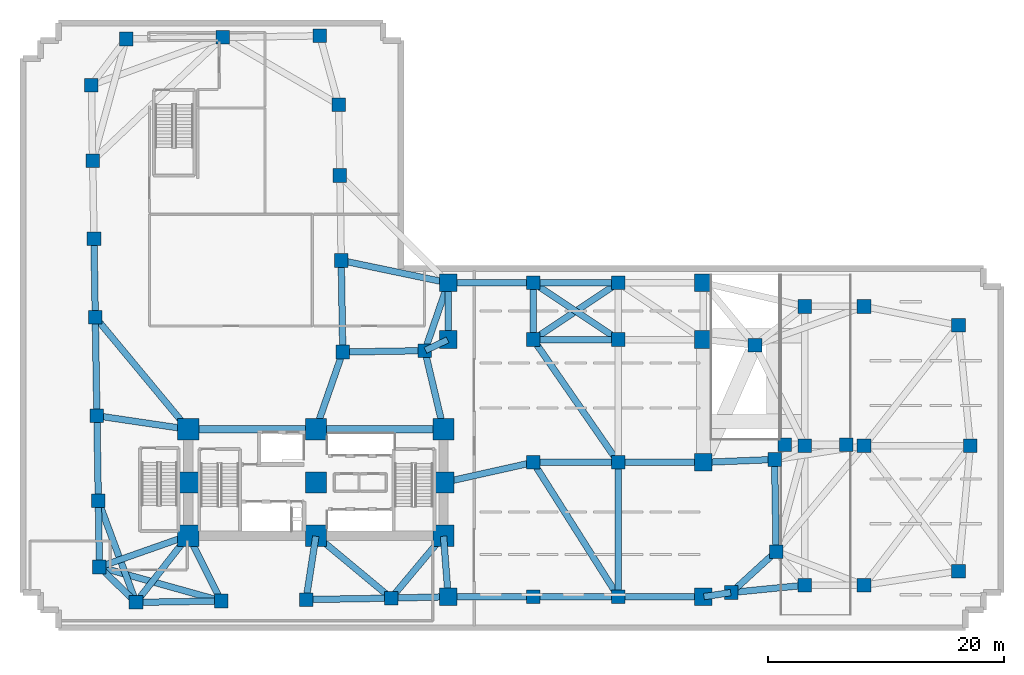
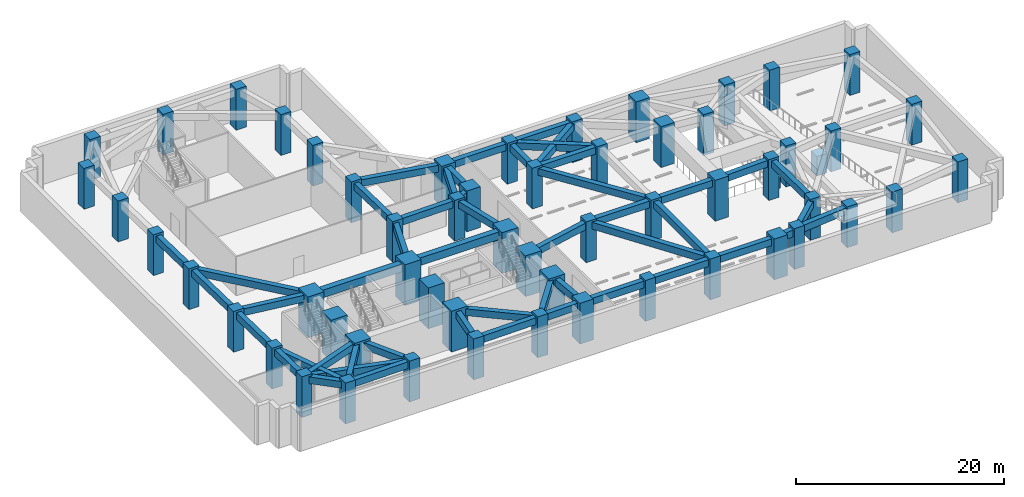
# One storey, part 1 of 11: 58 columns, 49 beams.
"""IFC4 building model written with IfcOpenShell, lengths in metres."""

from ifc_helpers import new_model, si_unit, direction, frame, origin, origin_2d, place, context, subcontext, project, spatial, rectangle, extrude, material, material_profile, profile_set, type_object, element, save


model = new_model("IFC4")

# Units and contexts
model_context = context("Model", 3, precision=1e-05, world=origin(), true_north=direction((0.0, 1.0)))
body_context = subcontext(model_context, "Body", "Model", "MODEL_VIEW")
ifc_project = project(units=[si_unit("LENGTHUNIT", "METRE"), si_unit("AREAUNIT", "SQUARE_METRE"), si_unit("VOLUMEUNIT", "CUBIC_METRE"), si_unit("PLANEANGLEUNIT", "RADIAN"), si_unit("MASSUNIT", "GRAM", prefix="KILO")], contexts=[model_context])

# Site, building, storey
site_placement = place(None, origin())
site = spatial("IfcSite", under=ifc_project, at=site_placement, CompositionType="ELEMENT")
building_placement = place(site_placement, origin())
building = spatial("IfcBuilding", under=site, at=building_placement, Name="Gaonmaruhae Medical Tower", CompositionType="ELEMENT")
storey_placement = place(building_placement, frame((0.0, 0.0, -4.800048828125)))
storey = spatial("IfcBuildingStorey", under=building, at=storey_placement, Name="B01", CompositionType="ELEMENT", Elevation=-4.800048828125)

# Columns
ifc_material_1 = material(Name="Concrete C60/75", Category="concrete")
ifc_material_profile_1 = material_profile(ifc_material_1, rectangle(XDim=1.800048828125, YDim=1.800048828125, at=origin_2d()), Name="RC-1800x1800")
ifc_profile_set_1 = profile_set([ifc_material_profile_1], Name="Concrete C60/75")
column_type_1 = type_object("IfcColumnType", Name="CC-01 Lower Core Mega Column (RC-1800x1800)", PredefinedType="COLUMN", material=ifc_profile_set_1)
for number, where, z_axis, x_axis, name in (
    (1, (14.0, 7.800048828125, 0.0), (0.0, 0.0, 1.0), (1.0, 0.0, 0.0), "B01 Plumb Core Column CC11"),
    (2, (14.0, 12.300048828125, 0.0), (0.0, 0.0, 1.0), (1.0, 0.0, 0.0), "B01 Plumb Core Column CC12"),
    (3, (14.0, 16.800048828125, 0.0), (0.0, 0.0, 1.0), (1.0, 0.0, 0.0), "B01 Plumb Core Column CC13"),
    (4, (24.800048828125, 7.800048828125, 0.0), (0.0, 0.0, 1.0), (1.0, 0.0, 0.0), "B01 Plumb Core Column CC21"),
    (5, (24.800048828125, 12.300048828125, 0.0), (0.0, 0.0, 1.0), (1.0, 0.0, 0.0), "B01 Plumb Core Column CC22"),
    (6, (24.800048828125, 16.800048828125, 0.0), (0.0, 0.0, 1.0), (1.0, 0.0, 0.0), "B01 Plumb Core Column CC23"),
    (7, (35.60009765625, 7.800048828125, 0.0), (0.0, 0.0, 1.0), (1.0, 0.0, 0.0), "B01 Plumb Core Column CC31"),
    (8, (35.60009765625, 12.300048828125, 0.0), (0.0, 0.0, 1.0), (1.0, 0.0, 0.0), "B01 Plumb Core Column CC32"),
    (9, (35.60009765625, 16.800048828125, 0.0), (0.0, 0.0, 1.0), (1.0, 0.0, 0.0), "B01 Plumb Core Column CC33"),
):
    element("IfcColumn", number, at=place(storey_placement, frame(where, z_axis=z_axis, x_axis=x_axis)), inside=storey, type_object=column_type_1, Name=name, PredefinedType="COLUMN", context=body_context, shape_type="SweptSolid", body=[
        extrude(rectangle(XDim=1.800048828125, YDim=1.800048828125, at=origin_2d()), origin(), (0.0, 0.0, 1.0), 4.800048828125),
    ])
ifc_material_profile_2 = material_profile(ifc_material_1, rectangle(XDim=1.5, YDim=1.5, at=origin_2d()), Name="RC-1500x1500")
ifc_profile_set_2 = profile_set([ifc_material_profile_2], Name="Concrete C60/75")
column_type_2 = type_object("IfcColumnType", Name="PC-C1 Portal Arch Exterior Spring Pier (RC-1500x1500)", PredefinedType="PILASTER", material=ifc_profile_set_2)
for number, where, z_axis, x_axis, name in (
    (10, (36.0, 29.199951171875, 0.0), (0.0, 0.0, 1.0), (1.0, 0.0, 0.0), "B01 Podium Column AP-W4"),
    (11, (57.60009765625, 29.199951171875, 0.0), (0.0, 0.0, 1.0), (1.0, 0.0, 0.0), "B01 Podium Column AP-E4"),
):
    element("IfcColumn", number, at=place(storey_placement, frame(where, z_axis=z_axis, x_axis=x_axis)), inside=storey, type_object=column_type_2, Name=name, PredefinedType="PILASTER", context=body_context, shape_type="SweptSolid", body=[
        extrude(rectangle(XDim=1.5, YDim=1.5, at=origin_2d()), origin(), (0.0, 0.0, 1.0), 4.800048828125),
    ])
ifc_material_profile_3 = material_profile(ifc_material_1, rectangle(XDim=1.5, YDim=1.5, at=origin_2d()), Name="RC-1500x1500")
ifc_profile_set_3 = profile_set([ifc_material_profile_3], Name="Concrete C60/75")
column_type_3 = type_object("IfcColumnType", Name="PC-C1I Portal Arch Interior Spring Pier (RC-1500x1500)", PredefinedType="PILASTER", material=ifc_profile_set_3)
for number, where, z_axis, x_axis, name in (
    (12, (36.0, 2.6259765625, 0.0), (0.0, 0.0, 1.0), (1.0, 0.0, 0.0), "B01 Podium Column AP-W1"),
    (13, (57.60009765625, 2.6259765625, 0.0), (0.0, 0.0, 1.0), (1.0, 0.0, 0.0), "B01 Podium Column AP-E1"),
    (14, (57.60009765625, 14.0, 0.0), (0.0, 0.0, 1.0), (1.0, 0.0, 0.0), "B01 Podium Column AP-E2"),
    (15, (36.0, 24.39990234375, 0.0), (0.0, 0.0, 1.0), (1.0, 0.0, 0.0), "B01 Podium Column AP-W3"),
    (16, (57.60009765625, 24.39990234375, 0.0), (0.0, 0.0, 1.0), (1.0, 0.0, 0.0), "B01 Podium Column AP-E3"),
):
    element("IfcColumn", number, at=place(storey_placement, frame(where, z_axis=z_axis, x_axis=x_axis)), inside=storey, type_object=column_type_3, Name=name, PredefinedType="PILASTER", context=body_context, shape_type="SweptSolid", body=[
        extrude(rectangle(XDim=1.5, YDim=1.5, at=origin_2d()), origin(), (0.0, 0.0, 1.0), 4.800048828125),
    ])
ifc_material_2 = material(Name="Concrete C50/60", Category="concrete")
ifc_material_profile_4 = material_profile(ifc_material_2, rectangle(XDim=1.14990234375, YDim=1.14990234375, at=origin_2d()), Name="RC-1150x1150")
ifc_profile_set_4 = profile_set([ifc_material_profile_4], Name="Concrete C50/60")
column_type_4 = type_object("IfcColumnType", Name="PC-C2 Podium Perimeter Column (RC-1150x1150)", PredefinedType="COLUMN", material=ifc_profile_set_4)
for number, where, z_axis, x_axis, name in (
    (17, (9.572265625, 2.1484375, 0.0), (0.0, 0.0, 1.0), (1.0, 0.0, 0.0), "B01 Podium Column PL5-S01"),
    (18, (25.129150390625, 50.113037109375, 0.0), (0.0, 0.0, 1.0), (1.0, 0.0, 0.0), "B01 Podium Column PL5-N01"),
    (19, (16.930419921875, 49.97705078125, 0.0), (0.0, 0.0, 1.0), (1.0, 0.0, 0.0), "B01 Podium Column PL5-N02"),
    (20, (8.7314453125, 49.841064453125, 0.0), (0.0, 0.0, 1.0), (1.0, 0.0, 0.0), "B01 Podium Column PL5-N03"),
    (21, (66.199951171875, 3.60009765625, 0.0), (0.0, 0.0, 1.0), (1.0, 0.0, 0.0), "B01 Podium Column PE-01"),
    (22, (66.199951171875, 27.199951171875, 0.0), (0.0, 0.0, 1.0), (1.0, 0.0, 0.0), "B01 Podium Column PE-05"),
    (23, (79.199951171875, 4.800048828125, 0.0), (0.0, 0.0, 1.0), (1.0, 0.0, 0.0), "B01 Podium Column PE-07"),
    (24, (80.199951171875, 15.39990234375, 0.0), (0.0, 0.0, 1.0), (1.0, 0.0, 0.0), "B01 Podium Column PE-08"),
    (25, (79.199951171875, 25.60009765625, 0.0), (0.0, 0.0, 1.0), (1.0, 0.0, 0.0), "B01 Podium Column PE-09"),
):
    element("IfcColumn", number, at=place(storey_placement, frame(where, z_axis=z_axis, x_axis=x_axis)), inside=storey, type_object=column_type_4, Name=name, PredefinedType="COLUMN", context=body_context, shape_type="SweptSolid", body=[
        extrude(rectangle(XDim=1.14990234375, YDim=1.14990234375, at=origin_2d()), origin(), (0.0, 0.0, 1.0), 4.800048828125),
    ])
ifc_material_profile_5 = material_profile(ifc_material_2, rectangle(XDim=1.14990234375, YDim=1.14990234375, at=origin_2d()), Name="RC-1150x1150")
ifc_profile_set_5 = profile_set([ifc_material_profile_5], Name="Concrete C50/60")
column_type_5 = type_object("IfcColumnType", Name="PC-C2I Podium Interior Column (RC-1150x1150)", PredefinedType="COLUMN", material=ifc_profile_set_5)
for number, where, z_axis, x_axis, name in (
    (26, (64.5, 15.5, 0.00244140625), (0.0, 0.0, 1.0), (1.0, 0.0, 0.0), "B01 Vehicle Ramp Mid-Span Support Column 1"),
    (27, (69.699951171875, 15.5, 0.00244140625), (0.0, 0.0, 1.0), (1.0, 0.0, 0.0), "B01 Vehicle Ramp Mid-Span Support Column 2"),
):
    element("IfcColumn", number, at=place(storey_placement, frame(where, z_axis=z_axis, x_axis=x_axis)), inside=storey, type_object=column_type_5, Name=name, PredefinedType="COLUMN", context=body_context, shape_type="SweptSolid", body=[
        extrude(rectangle(XDim=1.14990234375, YDim=1.14990234375, at=origin_2d()), origin(), (0.0, 0.0, 1.0), 2.26953125),
    ])
for number, where, z_axis, x_axis, name in (
    (28, (43.199951171875, 2.6259765625, 0.0), (0.0, 0.0, 1.0), (1.0, 0.0, 0.0), "B01 Podium Column BC-11"),
    (29, (50.39990234375, 2.6259765625, 0.0), (0.0, 0.0, 1.0), (1.0, 0.0, 0.0), "B01 Podium Column BC-21"),
    (30, (43.199951171875, 14.0, 0.0), (0.0, 0.0, 1.0), (1.0, 0.0, 0.0), "B01 Podium Column BC-12"),
    (31, (50.39990234375, 14.0, 0.0), (0.0, 0.0, 1.0), (1.0, 0.0, 0.0), "B01 Podium Column BC-22"),
    (32, (43.199951171875, 24.39990234375, 0.0), (0.0, 0.0, 1.0), (1.0, 0.0, 0.0), "B01 Podium Column BC-13"),
    (33, (50.39990234375, 24.39990234375, 0.0), (0.0, 0.0, 1.0), (1.0, 0.0, 0.0), "B01 Podium Column BC-23"),
    (34, (43.199951171875, 29.199951171875, 0.0), (0.0, 0.0, 1.0), (1.0, 0.0, 0.0), "B01 Podium Column BC-14"),
    (35, (50.39990234375, 29.199951171875, 0.0), (0.0, 0.0, 1.0), (1.0, 0.0, 0.0), "B01 Podium Column BC-24"),
    (36, (16.771240234375, 2.267822265625, 0.0), (0.0, 0.0, 1.0), (1.0, 0.0, 0.0), "B01 Podium Column PL5-S02"),
    (37, (23.97021484375, 2.38720703125, 0.0), (0.0, 0.0, 1.0), (1.0, 0.0, 0.0), "B01 Podium Column PL5-S03"),
    (38, (31.169189453125, 2.506591796875, 0.0), (0.0, 0.0, 1.0), (1.0, 0.0, 0.0), "B01 Podium Column PL5-S04"),
    (39, (59.96533203125, 2.984130859375, 0.0), (0.0, 0.0, 1.0), (1.0, 0.0, 0.0), "B01 Podium Column PL5-S08"),
    (40, (63.75830078125, 6.447509765625, 0.0), (0.0, 0.0, 1.0), (1.0, 0.0, 0.0), "B01 Podium Column PL5-E01"),
    (41, (63.629150390625, 14.246337890625, 0.0), (0.0, 0.0, 1.0), (1.0, 0.0, 0.0), "B01 Podium Column PL5-E02"),
    (42, (61.968505859375, 23.920166015625, 0.0), (0.0, 0.0, 1.0), (1.0, 0.0, 0.0), "B01 Podium Column PL5-E03"),
    (43, (34.022216796875, 23.456787109375, 0.0), (0.0, 0.0, 1.0), (1.0, 0.0, 0.0), "B01 Podium Column PL5-EN04"),
    (44, (27.0732421875, 23.341552734375, 0.0), (0.0, 0.0, 1.0), (1.0, 0.0, 0.0), "B01 Podium Column PL5-KN01"),
    (45, (26.94482421875, 31.090576171875, 0.0), (0.0, 0.0, 1.0), (1.0, 0.0, 0.0), "B01 Podium Column PL5-NE01"),
    (46, (26.825439453125, 38.28955078125, 0.0), (0.0, 0.0, 1.0), (1.0, 0.0, 0.0), "B01 Podium Column PL5-NE02"),
    (47, (26.725830078125, 44.288818359375, 0.0), (0.0, 0.0, 1.0), (1.0, 0.0, 0.0), "B01 Podium Column PL5-NE03"),
    (48, (5.795654296875, 45.94189453125, 0.0), (0.0, 0.0, 1.0), (1.0, 0.0, 0.0), "B01 Podium Column PL5-W01"),
    (49, (5.90185546875, 39.542724609375, 0.0), (0.0, 0.0, 1.0), (1.0, 0.0, 0.0), "B01 Podium Column PL5-W02"),
    (50, (6.01123046875, 32.943603515625, 0.0), (0.0, 0.0, 1.0), (1.0, 0.0, 0.0), "B01 Podium Column PL5-W03"),
    (51, (6.121337890625, 26.294677734375, 0.0), (0.0, 0.0, 1.0), (1.0, 0.0, 0.0), "B01 Podium Column PL5-W04"),
    (52, (6.260009765625, 17.94580078125, 0.0), (0.0, 0.0, 1.0), (1.0, 0.0, 0.0), "B01 Podium Column PL5-W05"),
    (53, (6.37939453125, 10.746826171875, 0.0), (0.0, 0.0, 1.0), (1.0, 0.0, 0.0), "B01 Podium Column PL5-W06"),
    (54, (6.47216796875, 5.1474609375, 0.0), (0.0, 0.0, 1.0), (1.0, 0.0, 0.0), "B01 Podium Column PL5-W07"),
    (55, (71.199951171875, 3.60009765625, 0.0), (0.0, 0.0, 1.0), (1.0, 0.0, 0.0), "B01 Podium Column PE-02"),
    (56, (66.199951171875, 15.39990234375, 0.0), (0.0, 0.0, 1.0), (1.0, 0.0, 0.0), "B01 Podium Column PE-03"),
    (57, (71.199951171875, 15.39990234375, 0.0), (0.0, 0.0, 1.0), (1.0, 0.0, 0.0), "B01 Podium Column PE-04"),
    (58, (71.199951171875, 27.199951171875, 0.0), (0.0, 0.0, 1.0), (1.0, 0.0, 0.0), "B01 Podium Column PE-06"),
):
    element("IfcColumn", number, at=place(storey_placement, frame(where, z_axis=z_axis, x_axis=x_axis)), inside=storey, type_object=column_type_5, Name=name, PredefinedType="COLUMN", context=body_context, shape_type="SweptSolid", body=[
        extrude(rectangle(XDim=1.14990234375, YDim=1.14990234375, at=origin_2d()), origin(), (0.0, 0.0, 1.0), 4.800048828125),
    ])

# Beams
ifc_material_profile_6 = material_profile(ifc_material_2, rectangle(XDim=0.64990234375, YDim=0.89990234375, at=origin_2d()), Name="RCG-650x900")
ifc_profile_set_6 = profile_set([ifc_material_profile_6], Name="Concrete C50/60")
beam_type_1 = type_object("IfcBeamType", Name="RG-01 Podium Primary RC Girder (RCG-650x900)", PredefinedType="BEAM", material=ifc_profile_set_6)
for number, where, z_axis, x_axis, name in (
    (59, (14.050048828125, 16.800048828125, 4.10009765625), (1.0, 0.0, 0.0), (0.0, 1.0, 0.0), "B01 Beam BM-B01-CG-N1"),
    (60, (24.85009765625, 16.800048828125, 4.10009765625), (1.0, 0.0, 0.0), (0.0, 1.0, 0.0), "B01 Beam BM-B01-CG-N2"),
):
    element("IfcBeam", number, at=place(storey_placement, frame(where, z_axis=z_axis, x_axis=x_axis)), inside=storey, type_object=beam_type_1, Name=name, PredefinedType="BEAM", context=body_context, shape_type="SweptSolid", body=[
        extrude(rectangle(XDim=0.64990234375, YDim=0.89990234375, at=origin_2d()), origin(), (0.0, 0.0, 1.0), 10.699951171875),
    ])
ifc_material_profile_7 = material_profile(ifc_material_2, rectangle(XDim=0.550048828125, YDim=0.800048828125, at=origin_2d()), Name="RCG-550x800")
ifc_profile_set_7 = profile_set([ifc_material_profile_7], Name="Concrete C50/60")
beam_type_2 = type_object("IfcBeamType", Name="RG-02 Basement Loop RC Girder (RCG-550x800)", PredefinedType="BEAM", material=ifc_profile_set_7)
beam_1_placement = place(storey_placement, frame((35.949951171875, 2.624755859375, 4.150146484375), z_axis=(-0.999694600046, -0.024712479405, 0.0), x_axis=(0.024712479405, -0.999694600046, 0.0)))
element("IfcBeam", 61, at=beam_1_placement, inside=storey, type_object=beam_type_2, Name="B01 Beam BM-B01-PG001", PredefinedType="BEAM", context=body_context, shape_type="SweptSolid", body=[
    extrude(rectangle(XDim=0.550048828125, YDim=0.800048828125, at=origin_2d()), origin(), (0.0, 0.0, 1.0), 4.732177734375),
])
beam_2_placement = place(storey_placement, frame((35.99609375, 2.67578125, 4.150146484375), z_axis=(-0.077085319769, 0.997024499938, 0.0), x_axis=(-0.997024499938, -0.077085319769, 0.0)))
element("IfcBeam", 62, at=beam_2_placement, inside=storey, type_object=beam_type_2, Name="B01 Beam BM-B01-PG002", PredefinedType="BEAM", context=body_context, shape_type="SweptSolid", body=[
    extrude(rectangle(XDim=0.550048828125, YDim=0.800048828125, at=origin_2d()), origin(), (0.0, 0.0, 1.0), 5.089599609375),
])
beam_3_placement = place(storey_placement, frame((57.6494140625, 2.633544921875, 4.150146484375), z_axis=(0.988739394413, 0.149647619213, 0.0), x_axis=(-0.149647619213, 0.988739394413, 0.0)))
element("IfcBeam", 63, at=beam_3_placement, inside=storey, type_object=beam_type_2, Name="B01 Beam BM-B01-PG003", PredefinedType="BEAM", context=body_context, shape_type="SweptSolid", body=[
    extrude(rectangle(XDim=0.550048828125, YDim=0.800048828125, at=origin_2d()), origin(), (0.0, 0.0, 1.0), 2.292236328125),
])
for number, where, z_axis, x_axis, name in (
    (64, (57.550048828125, 2.6259765625, 4.150146484375), (-1.0, 0.0, 0.0), (0.0, -1.0, 0.0), "B01 Beam BM-B01-PG004"),
    (65, (43.25, 2.6259765625, 4.150146484375), (1.0, 0.0, 0.0), (0.0, 1.0, 0.0), "B01 Beam BM-B01-PG005"),
):
    element("IfcBeam", number, at=place(storey_placement, frame(where, z_axis=z_axis, x_axis=x_axis)), inside=storey, type_object=beam_type_2, Name=name, PredefinedType="BEAM", context=body_context, shape_type="SweptSolid", body=[
        extrude(rectangle(XDim=0.550048828125, YDim=0.800048828125, at=origin_2d()), origin(), (0.0, 0.0, 1.0), 7.10009765625),
    ])
beam_4_placement = place(storey_placement, frame((43.14990234375, 2.6259765625, 4.150146484375), z_axis=(-1.0, 0.0, 0.0), x_axis=(0.0, -1.0, 0.0)))
element("IfcBeam", 66, at=beam_4_placement, inside=storey, type_object=beam_type_2, Name="B01 Beam BM-B01-PG006", PredefinedType="BEAM", context=body_context, shape_type="SweptSolid", body=[
    extrude(rectangle(XDim=0.550048828125, YDim=0.800048828125, at=origin_2d()), origin(), (0.0, 0.0, 1.0), 7.099853515625),
])
beam_5_placement = place(storey_placement, frame((50.39990234375, 2.676025390625, 4.150146484375), z_axis=(0.0, 1.0, 0.0), x_axis=(-1.0, 0.0, 0.0)))
element("IfcBeam", 67, at=beam_5_placement, inside=storey, type_object=beam_type_2, Name="B01 Beam BM-B01-PG007", PredefinedType="BEAM", context=body_context, shape_type="SweptSolid", body=[
    extrude(rectangle(XDim=0.550048828125, YDim=0.800048828125, at=origin_2d()), origin(), (0.0, 0.0, 1.0), 11.27392578125),
])
beam_6_placement = place(storey_placement, frame((50.373291015625, 2.668212890625, 4.150146484375), z_axis=(-0.534861666539, 0.844939641435, 0.0), x_axis=(-0.844939641435, -0.534861666539, 0.0)))
element("IfcBeam", 68, at=beam_6_placement, inside=storey, type_object=beam_type_2, Name="B01 Beam BM-B01-PG008", PredefinedType="BEAM", context=body_context, shape_type="SweptSolid", body=[
    extrude(rectangle(XDim=0.550048828125, YDim=0.800048828125, at=origin_2d()), origin(), (0.0, 0.0, 1.0), 13.361328125),
])
beam_7_placement = place(storey_placement, frame((57.64990234375, 14.001953125, 4.150146484375), z_axis=(0.999165142421, 0.04085361881, 0.0), x_axis=(-0.04085361881, 0.999165142421, 0.0)))
element("IfcBeam", 69, at=beam_7_placement, inside=storey, type_object=beam_type_2, Name="B01 Beam BM-B01-PG009", PredefinedType="BEAM", context=body_context, shape_type="SweptSolid", body=[
    extrude(rectangle(XDim=0.550048828125, YDim=0.800048828125, at=origin_2d()), origin(), (0.0, 0.0, 1.0), 5.93408203125),
])
for number, where, z_axis, x_axis, name in (
    (70, (57.550048828125, 14.0, 4.150146484375), (-1.0, 0.0, 0.0), (0.0, -1.0, 0.0), "B01 Beam BM-B01-PG010"),
    (71, (43.25, 14.0, 4.150146484375), (1.0, 0.0, 0.0), (0.0, 1.0, 0.0), "B01 Beam BM-B01-PG011"),
):
    element("IfcBeam", number, at=place(storey_placement, frame(where, z_axis=z_axis, x_axis=x_axis)), inside=storey, type_object=beam_type_2, Name=name, PredefinedType="BEAM", context=body_context, shape_type="SweptSolid", body=[
        extrude(rectangle(XDim=0.550048828125, YDim=0.800048828125, at=origin_2d()), origin(), (0.0, 0.0, 1.0), 7.10009765625),
    ])
beam_8_placement = place(storey_placement, frame((43.151123046875, 13.989013671875, 4.150146484375), z_axis=(-0.97588950066, -0.218265165572, 0.0), x_axis=(0.218265165572, -0.97588950066, 0.0)))
element("IfcBeam", 72, at=beam_8_placement, inside=storey, type_object=beam_type_2, Name="B01 Beam BM-B01-PG012", PredefinedType="BEAM", context=body_context, shape_type="SweptSolid", body=[
    extrude(rectangle(XDim=0.550048828125, YDim=0.800048828125, at=origin_2d()), origin(), (0.0, 0.0, 1.0), 7.687744140625),
])
beam_9_placement = place(storey_placement, frame((50.37158203125, 14.041015625, 4.150146484375), z_axis=(-0.569205932244, 0.822194993112, 0.0), x_axis=(-0.822194993112, -0.569205932244, 0.0)))
element("IfcBeam", 73, at=beam_9_placement, inside=storey, type_object=beam_type_2, Name="B01 Beam BM-B01-PG014", PredefinedType="BEAM", context=body_context, shape_type="SweptSolid", body=[
    extrude(rectangle(XDim=0.550048828125, YDim=0.800048828125, at=origin_2d()), origin(), (0.0, 0.0, 1.0), 12.549072265625),
])
beam_10_placement = place(storey_placement, frame((35.954833984375, 24.37841796875, 4.150146484375), z_axis=(-0.902607868555, -0.430463744841, 0.0), x_axis=(0.430463744841, -0.902607868555, 0.0)))
element("IfcBeam", 74, at=beam_10_placement, inside=storey, type_object=beam_type_2, Name="B01 Beam BM-B01-PG015", PredefinedType="BEAM", context=body_context, shape_type="SweptSolid", body=[
    extrude(rectangle(XDim=0.550048828125, YDim=0.800048828125, at=origin_2d()), origin(), (0.0, 0.0, 1.0), 2.091064453125),
])
for number, where, z_axis, x_axis, name in (
    (75, (36.0, 24.449951171875, 4.150146484375), (0.0, 1.0, 0.0), (-1.0, 0.0, 0.0), "B01 Beam BM-B01-PG016"),
    (76, (43.199951171875, 24.449951171875, 4.150146484375), (0.0, 1.0, 0.0), (-1.0, 0.0, 0.0), "B01 Beam BM-B01-PG019"),
):
    element("IfcBeam", number, at=place(storey_placement, frame(where, z_axis=z_axis, x_axis=x_axis)), inside=storey, type_object=beam_type_2, Name=name, PredefinedType="BEAM", context=body_context, shape_type="SweptSolid", body=[
        extrude(rectangle(XDim=0.550048828125, YDim=0.800048828125, at=origin_2d()), origin(), (0.0, 0.0, 1.0), 4.699951171875),
    ])
beam_11_placement = place(storey_placement, frame((43.25, 24.39990234375, 4.150146484375), z_axis=(1.0, 0.0, 0.0), x_axis=(0.0, 1.0, 0.0)))
element("IfcBeam", 77, at=beam_11_placement, inside=storey, type_object=beam_type_2, Name="B01 Beam BM-B01-PG020", PredefinedType="BEAM", context=body_context, shape_type="SweptSolid", body=[
    extrude(rectangle(XDim=0.550048828125, YDim=0.800048828125, at=origin_2d()), origin(), (0.0, 0.0, 1.0), 7.10009765625),
])
beam_12_placement = place(storey_placement, frame((35.983642578125, 29.15283203125, 4.150146484375), z_axis=(-0.325578822882, -0.945514902099, 0.0), x_axis=(0.945514902099, -0.325578822882, 0.0)))
element("IfcBeam", 78, at=beam_12_placement, inside=storey, type_object=beam_type_2, Name="B01 Beam BM-B01-PG023", PredefinedType="BEAM", context=body_context, shape_type="SweptSolid", body=[
    extrude(rectangle(XDim=0.550048828125, YDim=0.800048828125, at=origin_2d()), origin(), (0.0, 0.0, 1.0), 5.97412109375),
])
beam_13_placement = place(storey_placement, frame((36.050048828125, 29.199951171875, 4.150146484375), z_axis=(1.0, 0.0, 0.0), x_axis=(0.0, 1.0, 0.0)))
element("IfcBeam", 79, at=beam_13_placement, inside=storey, type_object=beam_type_2, Name="B01 Beam BM-B01-PG024", PredefinedType="BEAM", context=body_context, shape_type="SweptSolid", body=[
    extrude(rectangle(XDim=0.550048828125, YDim=0.800048828125, at=origin_2d()), origin(), (0.0, 0.0, 1.0), 7.099853515625),
])
beam_14_placement = place(storey_placement, frame((43.25, 29.199951171875, 4.150146484375), z_axis=(1.0, 0.0, 0.0), x_axis=(0.0, 1.0, 0.0)))
element("IfcBeam", 80, at=beam_14_placement, inside=storey, type_object=beam_type_2, Name="B01 Beam BM-B01-PG027", PredefinedType="BEAM", context=body_context, shape_type="SweptSolid", body=[
    extrude(rectangle(XDim=0.550048828125, YDim=0.800048828125, at=origin_2d()), origin(), (0.0, 0.0, 1.0), 7.10009765625),
])
for number, where, z_axis, x_axis, name in (
    (81, (43.24169921875, 29.17236328125, 4.150146484375), (0.832041511634, -0.554713370055, 0.0), (0.554713370055, 0.832041511634, 0.0), "B01 Beam BM-B01-PG028"),
    (82, (50.3583984375, 29.17236328125, 4.150146484375), (-0.832041511634, -0.554713370055, 0.0), (0.554713370055, -0.832041511634, 0.0), "B01 Beam BM-B01-PG029"),
):
    element("IfcBeam", number, at=place(storey_placement, frame(where, z_axis=z_axis, x_axis=x_axis)), inside=storey, type_object=beam_type_2, Name=name, PredefinedType="BEAM", context=body_context, shape_type="SweptSolid", body=[
        extrude(rectangle(XDim=0.550048828125, YDim=0.800048828125, at=origin_2d()), origin(), (0.0, 0.0, 1.0), 8.55322265625),
    ])
beam_15_placement = place(storey_placement, frame((9.536376953125, 2.183349609375, 4.150146484375), z_axis=(-0.71874317397, 0.695275664662, 0.0), x_axis=(-0.695275664662, -0.71874317397, 0.0)))
element("IfcBeam", 83, at=beam_15_placement, inside=storey, type_object=beam_type_2, Name="B01 Beam BM-B01-PG031", PredefinedType="BEAM", context=body_context, shape_type="SweptSolid", body=[
    extrude(rectangle(XDim=0.550048828125, YDim=0.800048828125, at=origin_2d()), origin(), (0.0, 0.0, 1.0), 4.21337890625),
])
beam_16_placement = place(storey_placement, frame((9.60302734375, 2.187744140625, 4.150146484375), z_axis=(0.616722881004, 0.787180340231, 0.0), x_axis=(-0.787180340231, 0.616722881004, 0.0)))
element("IfcBeam", 84, at=beam_16_placement, inside=storey, type_object=beam_type_2, Name="B01 Beam BM-B01-PG032", PredefinedType="BEAM", context=body_context, shape_type="SweptSolid", body=[
    extrude(rectangle(XDim=0.550048828125, YDim=0.800048828125, at=origin_2d()), origin(), (0.0, 0.0, 1.0), 7.07958984375),
])
beam_17_placement = place(storey_placement, frame((16.7490234375, 2.3125, 4.150146484375), z_axis=(-0.447887224471, 0.894090059309, 0.0), x_axis=(-0.894090059309, -0.447887224471, 0.0)))
element("IfcBeam", 85, at=beam_17_placement, inside=storey, type_object=beam_type_2, Name="B01 Beam BM-B01-PG033", PredefinedType="BEAM", context=body_context, shape_type="SweptSolid", body=[
    extrude(rectangle(XDim=0.550048828125, YDim=0.800048828125, at=origin_2d()), origin(), (0.0, 0.0, 1.0), 6.087646484375),
])
beam_18_placement = place(storey_placement, frame((16.72119140625, 2.26708984375, 4.150146484375), z_axis=(-0.99986263522, -0.016574398672, 0.0), x_axis=(0.016574398672, -0.99986263522, 0.0)))
element("IfcBeam", 86, at=beam_18_placement, inside=storey, type_object=beam_type_2, Name="B01 Beam BM-B01-PG034", PredefinedType="BEAM", context=body_context, shape_type="SweptSolid", body=[
    extrude(rectangle(XDim=0.550048828125, YDim=0.800048828125, at=origin_2d()), origin(), (0.0, 0.0, 1.0), 7.099853515625),
])
beam_19_placement = place(storey_placement, frame((23.977783203125, 2.436767578125, 4.150146484375), z_axis=(0.15154867759, 0.988449795549, 0.0), x_axis=(-0.988449795549, 0.15154867759, 0.0)))
element("IfcBeam", 87, at=beam_19_placement, inside=storey, type_object=beam_type_2, Name="B01 Beam BM-B01-PG035", PredefinedType="BEAM", context=body_context, shape_type="SweptSolid", body=[
    extrude(rectangle(XDim=0.550048828125, YDim=0.800048828125, at=origin_2d()), origin(), (0.0, 0.0, 1.0), 5.375732421875),
])
beam_20_placement = place(storey_placement, frame((24.020263671875, 2.38818359375, 4.150146484375), z_axis=(0.999862644666, 0.01657382883, 0.0), x_axis=(-0.01657382883, 0.999862644666, 0.0)))
element("IfcBeam", 88, at=beam_20_placement, inside=storey, type_object=beam_type_2, Name="B01 Beam BM-B01-PG036", PredefinedType="BEAM", context=body_context, shape_type="SweptSolid", body=[
    extrude(rectangle(XDim=0.550048828125, YDim=0.800048828125, at=origin_2d()), origin(), (0.0, 0.0, 1.0), 7.10009765625),
])
beam_21_placement = place(storey_placement, frame((31.201416015625, 2.544921875, 4.150146484375), z_axis=(0.641841952808, 0.766836949824, 0.0), x_axis=(-0.766836949824, 0.641841952808, 0.0)))
element("IfcBeam", 89, at=beam_21_placement, inside=storey, type_object=beam_type_2, Name="B01 Beam BM-B01-PG037", PredefinedType="BEAM", context=body_context, shape_type="SweptSolid", body=[
    extrude(rectangle(XDim=0.550048828125, YDim=0.800048828125, at=origin_2d()), origin(), (0.0, 0.0, 1.0), 6.802978515625),
])
beam_22_placement = place(storey_placement, frame((31.130859375, 2.53857421875, 4.150146484375), z_axis=(-0.769076636627, 0.639156574709, 0.0), x_axis=(-0.639156574709, -0.769076636627, 0.0)))
element("IfcBeam", 90, at=beam_22_placement, inside=storey, type_object=beam_type_2, Name="B01 Beam BM-B01-PG038", PredefinedType="BEAM", context=body_context, shape_type="SweptSolid", body=[
    extrude(rectangle(XDim=0.550048828125, YDim=0.800048828125, at=origin_2d()), origin(), (0.0, 0.0, 1.0), 8.181884765625),
])
beam_23_placement = place(storey_placement, frame((60.002197265625, 3.017822265625, 4.150146484375), z_axis=(0.738468702346, 0.674287754341, 0.0), x_axis=(-0.674287754341, 0.738468702346, 0.0)))
element("IfcBeam", 91, at=beam_23_placement, inside=storey, type_object=beam_type_2, Name="B01 Beam BM-B01-PG039", PredefinedType="BEAM", context=body_context, shape_type="SweptSolid", body=[
    extrude(rectangle(XDim=0.550048828125, YDim=0.800048828125, at=origin_2d()), origin(), (0.0, 0.0, 1.0), 5.036376953125),
])
beam_24_placement = place(storey_placement, frame((60.01513671875, 2.989013671875, 4.150146484375), z_axis=(0.995157611047, 0.098292060592, 0.0), x_axis=(-0.098292060592, 0.995157611047, 0.0)))
element("IfcBeam", 92, at=beam_24_placement, inside=storey, type_object=beam_type_2, Name="B01 Beam BM-B01-PG040", PredefinedType="BEAM", context=body_context, shape_type="SweptSolid", body=[
    extrude(rectangle(XDim=0.550048828125, YDim=0.800048828125, at=origin_2d()), origin(), (0.0, 0.0, 1.0), 6.164794921875),
])
beam_25_placement = place(storey_placement, frame((63.757568359375, 6.49755859375, 4.150146484375), z_axis=(-0.016582992443, 0.999862492727, 0.0), x_axis=(-0.999862492727, -0.016582992443, 0.0)))
element("IfcBeam", 93, at=beam_25_placement, inside=storey, type_object=beam_type_2, Name="B01 Beam BM-B01-PG042", PredefinedType="BEAM", context=body_context, shape_type="SweptSolid", body=[
    extrude(rectangle(XDim=0.550048828125, YDim=0.800048828125, at=origin_2d()), origin(), (0.0, 0.0, 1.0), 7.69970703125),
])
beam_26_placement = place(storey_placement, frame((34.033935546875, 23.408203125, 4.150146484375), z_axis=(0.230587307936, -0.973051639647, 0.0), x_axis=(0.973051639647, 0.230587307936, 0.0)))
element("IfcBeam", 94, at=beam_26_placement, inside=storey, type_object=beam_type_2, Name="B01 Beam BM-B01-PG047", PredefinedType="BEAM", context=body_context, shape_type="SweptSolid", body=[
    extrude(rectangle(XDim=0.550048828125, YDim=0.800048828125, at=origin_2d()), origin(), (0.0, 0.0, 1.0), 6.7412109375),
])
beam_27_placement = place(storey_placement, frame((33.972412109375, 23.4560546875, 4.150146484375), z_axis=(-0.999862660061, -0.016572900012, 0.0), x_axis=(0.016572900012, -0.999862660061, 0.0)))
element("IfcBeam", 95, at=beam_27_placement, inside=storey, type_object=beam_type_2, Name="B01 Beam BM-B01-PG048", PredefinedType="BEAM", context=body_context, shape_type="SweptSolid", body=[
    extrude(rectangle(XDim=0.550048828125, YDim=0.800048828125, at=origin_2d()), origin(), (0.0, 0.0, 1.0), 6.85009765625),
])
beam_28_placement = place(storey_placement, frame((27.056884765625, 23.29443359375, 4.150146484375), z_axis=(-0.328252856343, -0.944589891065, 0.0), x_axis=(0.944589891065, -0.328252856343, 0.0)))
element("IfcBeam", 96, at=beam_28_placement, inside=storey, type_object=beam_type_2, Name="B01 Beam BM-B01-PG049", PredefinedType="BEAM", context=body_context, shape_type="SweptSolid", body=[
    extrude(rectangle(XDim=0.550048828125, YDim=0.800048828125, at=origin_2d()), origin(), (0.0, 0.0, 1.0), 6.825439453125),
])
beam_29_placement = place(storey_placement, frame((27.072509765625, 23.3916015625, 4.150146484375), z_axis=(-0.016595224727, 0.999862289776, 0.0), x_axis=(-0.999862289776, -0.016595224727, 0.0)))
element("IfcBeam", 97, at=beam_29_placement, inside=storey, type_object=beam_type_2, Name="B01 Beam BM-B01-PG050", PredefinedType="BEAM", context=body_context, shape_type="SweptSolid", body=[
    extrude(rectangle(XDim=0.550048828125, YDim=0.800048828125, at=origin_2d()), origin(), (0.0, 0.0, 1.0), 7.64990234375),
])
beam_30_placement = place(storey_placement, frame((26.99365234375, 31.080322265625, 4.150146484375), z_axis=(0.978893765429, -0.204369753153, 0.0), x_axis=(0.204369753153, 0.978893765429, 0.0)))
element("IfcBeam", 98, at=beam_30_placement, inside=storey, type_object=beam_type_2, Name="B01 Beam BM-B01-PG052", PredefinedType="BEAM", context=body_context, shape_type="SweptSolid", body=[
    extrude(rectangle(XDim=0.550048828125, YDim=0.800048828125, at=origin_2d()), origin(), (0.0, 0.0, 1.0), 9.150634765625),
])
beam_31_placement = place(storey_placement, frame((6.011962890625, 32.893798828125, 4.150146484375), z_axis=(0.016586102524, -0.99986244114, 0.0), x_axis=(0.99986244114, 0.016586102524, 0.0)))
element("IfcBeam", 99, at=beam_31_placement, inside=storey, type_object=beam_type_2, Name="B01 Beam BM-B01-PG065", PredefinedType="BEAM", context=body_context, shape_type="SweptSolid", body=[
    extrude(rectangle(XDim=0.550048828125, YDim=0.800048828125, at=origin_2d()), origin(), (0.0, 0.0, 1.0), 6.55029296875),
])
beam_32_placement = place(storey_placement, frame((6.122314453125, 26.24462890625, 4.150146484375), z_axis=(0.016572145992, -0.999862672559, 0.0), x_axis=(0.999862672559, 0.016572145992, 0.0)))
element("IfcBeam", 100, at=beam_32_placement, inside=storey, type_object=beam_type_2, Name="B01 Beam BM-B01-PG066", PredefinedType="BEAM", context=body_context, shape_type="SweptSolid", body=[
    extrude(rectangle(XDim=0.550048828125, YDim=0.800048828125, at=origin_2d()), origin(), (0.0, 0.0, 1.0), 8.25),
])
beam_33_placement = place(storey_placement, frame((6.1533203125, 26.256103515625, 4.150146484375), z_axis=(0.638571966842, -0.76956211131, 0.0), x_axis=(0.76956211131, 0.638571966842, 0.0)))
element("IfcBeam", 101, at=beam_33_placement, inside=storey, type_object=beam_type_2, Name="B01 Beam BM-B01-PG067", PredefinedType="BEAM", context=body_context, shape_type="SweptSolid", body=[
    extrude(rectangle(XDim=0.550048828125, YDim=0.800048828125, at=origin_2d()), origin(), (0.0, 0.0, 1.0), 12.23779296875),
])
beam_34_placement = place(storey_placement, frame((6.2607421875, 17.895751953125, 4.150146484375), z_axis=(0.016574398672, -0.99986263522, 0.0), x_axis=(0.99986263522, 0.016574398672, 0.0)))
element("IfcBeam", 102, at=beam_34_placement, inside=storey, type_object=beam_type_2, Name="B01 Beam BM-B01-PG068", PredefinedType="BEAM", context=body_context, shape_type="SweptSolid", body=[
    extrude(rectangle(XDim=0.550048828125, YDim=0.800048828125, at=origin_2d()), origin(), (0.0, 0.0, 1.0), 7.099853515625),
])
beam_35_placement = place(storey_placement, frame((6.309326171875, 17.9384765625, 4.150146484375), z_axis=(0.989220595227, -0.146432967528, 0.0), x_axis=(0.146432967528, 0.989220595227, 0.0)))
element("IfcBeam", 103, at=beam_35_placement, inside=storey, type_object=beam_type_2, Name="B01 Beam BM-B01-PG069", PredefinedType="BEAM", context=body_context, shape_type="SweptSolid", body=[
    extrude(rectangle(XDim=0.550048828125, YDim=0.800048828125, at=origin_2d()), origin(), (0.0, 0.0, 1.0), 7.724365234375),
])
beam_36_placement = place(storey_placement, frame((6.380126953125, 10.69677734375, 4.150146484375), z_axis=(0.016557108537, -0.999862921683, 0.0), x_axis=(0.999862921683, 0.016557108537, 0.0)))
element("IfcBeam", 104, at=beam_36_placement, inside=storey, type_object=beam_type_2, Name="B01 Beam BM-B01-PG070", PredefinedType="BEAM", context=body_context, shape_type="SweptSolid", body=[
    extrude(rectangle(XDim=0.550048828125, YDim=0.800048828125, at=origin_2d()), origin(), (0.0, 0.0, 1.0), 5.5),
])
beam_37_placement = place(storey_placement, frame((6.396728515625, 10.699951171875, 4.150146484375), z_axis=(0.348122339765, -0.937449111449, 0.0), x_axis=(0.937449111449, 0.348122339765, 0.0)))
element("IfcBeam", 105, at=beam_37_placement, inside=storey, type_object=beam_type_2, Name="B01 Beam BM-B01-PG071", PredefinedType="BEAM", context=body_context, shape_type="SweptSolid", body=[
    extrude(rectangle(XDim=0.550048828125, YDim=0.800048828125, at=origin_2d()), origin(), (0.0, 0.0, 1.0), 9.072021484375),
])
beam_38_placement = place(storey_placement, frame((6.519287109375, 5.1640625, 4.150146484375), z_axis=(0.943158912801, 0.332342090628, 0.0), x_axis=(-0.332342090628, 0.943158912801, 0.0)))
element("IfcBeam", 106, at=beam_38_placement, inside=storey, type_object=beam_type_2, Name="B01 Beam BM-B01-PG072", PredefinedType="BEAM", context=body_context, shape_type="SweptSolid", body=[
    extrude(rectangle(XDim=0.550048828125, YDim=0.800048828125, at=origin_2d()), origin(), (0.0, 0.0, 1.0), 7.881591796875),
])
beam_39_placement = place(storey_placement, frame((6.520263671875, 5.134033203125, 4.150146484375), z_axis=(0.963062562171, -0.269277740159, 0.0), x_axis=(0.269277740159, 0.963062562171, 0.0)))
element("IfcBeam", 107, at=beam_39_placement, inside=storey, type_object=beam_type_2, Name="B01 Beam BM-B01-PG073", PredefinedType="BEAM", context=body_context, shape_type="SweptSolid", body=[
    extrude(rectangle(XDim=0.550048828125, YDim=0.800048828125, at=origin_2d()), origin(), (0.0, 0.0, 1.0), 10.59423828125),
])

save(model, "model.ifc")
